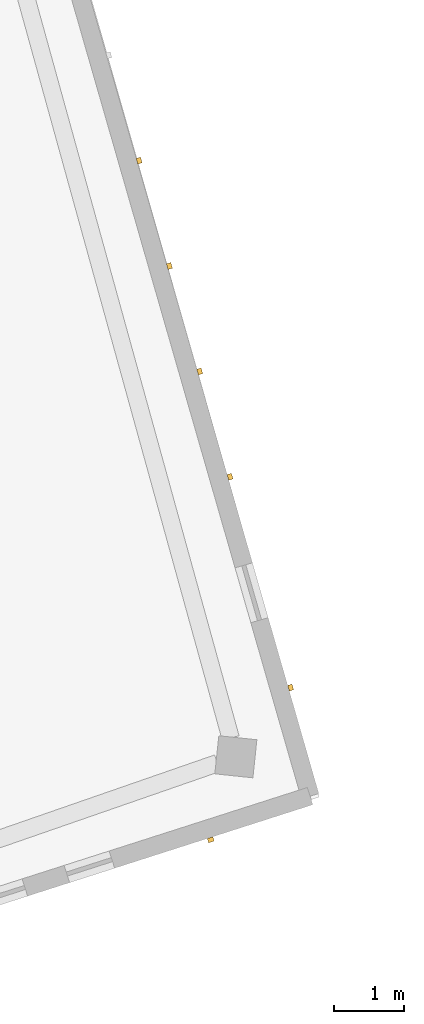
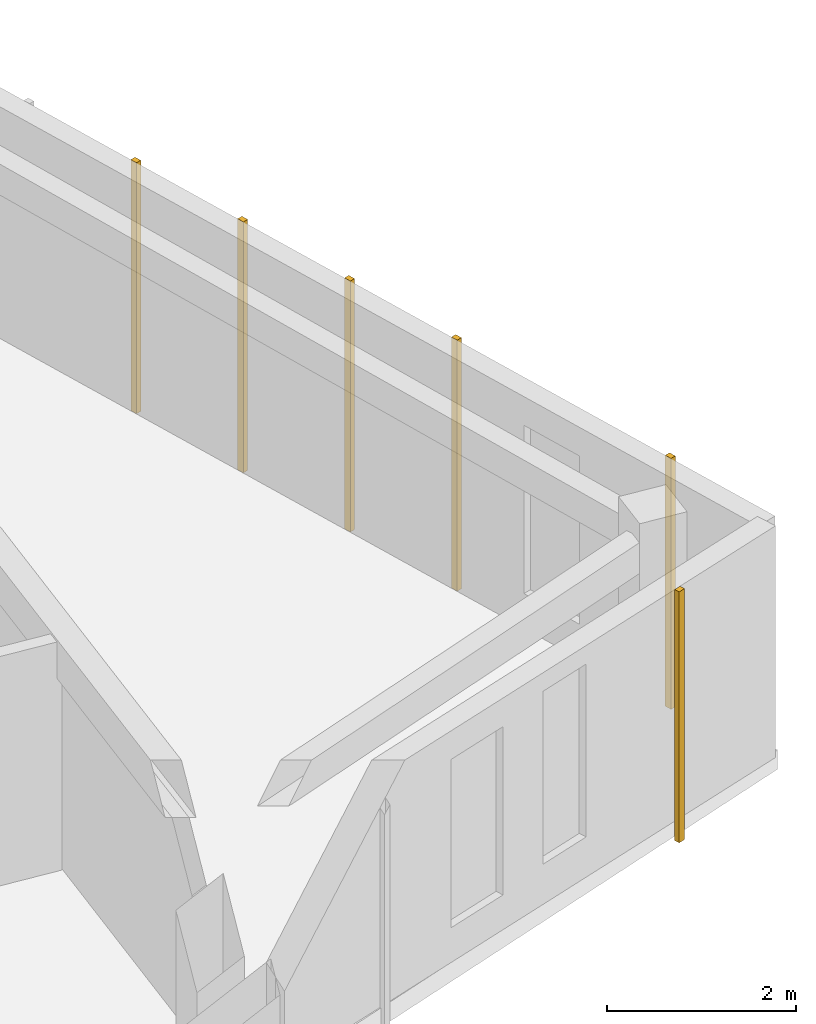
# One storey, part 72 of 74: 6 coverings.
"""IFC4 building model written with IfcOpenShell, lengths in metres."""

from ifc_helpers import new_model, si_unit, direction, frame, origin, origin_2d, place, context, subcontext, project, spatial, rectangle, extrude, material, layer, layer_set, type_object, element, save


model = new_model("IFC4")

# Units and contexts
model_context = context("Model", 3, precision=1e-05, world=origin(), true_north=direction((0.0, 1.0)))
body_context = subcontext(model_context, "Body", "Model", "MODEL_VIEW")
ifc_project = project(units=[si_unit("LENGTHUNIT", "METRE"), si_unit("AREAUNIT", "SQUARE_METRE"), si_unit("VOLUMEUNIT", "CUBIC_METRE"), si_unit("PLANEANGLEUNIT", "RADIAN"), si_unit("MASSUNIT", "GRAM", prefix="KILO")], contexts=[model_context])

# Site, building, storey
site_placement = place(None, origin())
site = spatial("IfcSite", under=ifc_project, at=site_placement, CompositionType="ELEMENT")
building_placement = place(site_placement, origin())
building = spatial("IfcBuilding", under=site, at=building_placement, Name="Kestramere Prow Commons", CompositionType="ELEMENT")
storey_placement = place(building_placement, frame((0.0, 0.0, 11.64990234375)))
storey = spatial("IfcBuildingStorey", under=building, at=storey_placement, Name="L03", CompositionType="ELEMENT", Elevation=11.64990234375)

# Coverings
ifc_material = material(Name="Weathered Zinc-Titanium Standing-Seam Cladding")
ifc_layer = layer(ifc_material, 0.074951171875)
ifc_layer_set = layer_set([ifc_layer], Name="Weathered Zinc-Titanium Standing-Seam Cladding")
covering_type = type_object("IfcCoveringType", Name="COV-CLAD-SEAM", PredefinedType="CLADDING", material=ifc_layer_set)
for number, where, z_axis, x_axis, name in (
    (1, (163.131103515625, 100.7021484375, -0.25), (0.0, 0.0, 1.0), (0.27631844013, -0.961066136977, 0.0), "EW-B-L03-PRW-N Standing-Seam Rib 6"),
    (2, (163.56640625, 99.18798828125, -0.25), (0.0, 0.0, 1.0), (0.27631844013, -0.961066136977, 0.0), "EW-B-L03-PRW-N Standing-Seam Rib 7"),
    (3, (164.001708984375, 97.673583984375, -0.25), (0.0, 0.0, 1.0), (0.27631844013, -0.961066136977, 0.0), "EW-B-L03-PRW-N Standing-Seam Rib 8"),
    (4, (164.437255859375, 96.159423828125, -0.25), (0.0, 0.0, 1.0), (0.27631844013, -0.961066136977, 0.0), "EW-B-L03-PRW-N Standing-Seam Rib 9"),
    (5, (165.307861328125, 93.131103515625, -0.25), (0.0, 0.0, 1.0), (0.27631844013, -0.961066136977, 0.0), "EW-B-L03-PRW-N Standing-Seam Rib 11"),
    (6, (164.16015625, 90.94384765625, -0.25), (0.0, 0.0, 1.0), (-0.952283464374, -0.305215011884, 0.0), "EW-B-L03-PRW-S Standing-Seam Rib 1"),
):
    element("IfcCovering", number, at=place(storey_placement, frame(where, z_axis=z_axis, x_axis=x_axis)), inside=storey, type_object=covering_type, Name=name, PredefinedType="CLADDING", context=body_context, shape_type="SweptSolid", body=[
        extrude(rectangle(XDim=0.0849609375, YDim=0.06494140625, at=origin_2d()), origin(), (0.0, 0.0, 1.0), 3.25),
    ])

save(model, "model.ifc")
